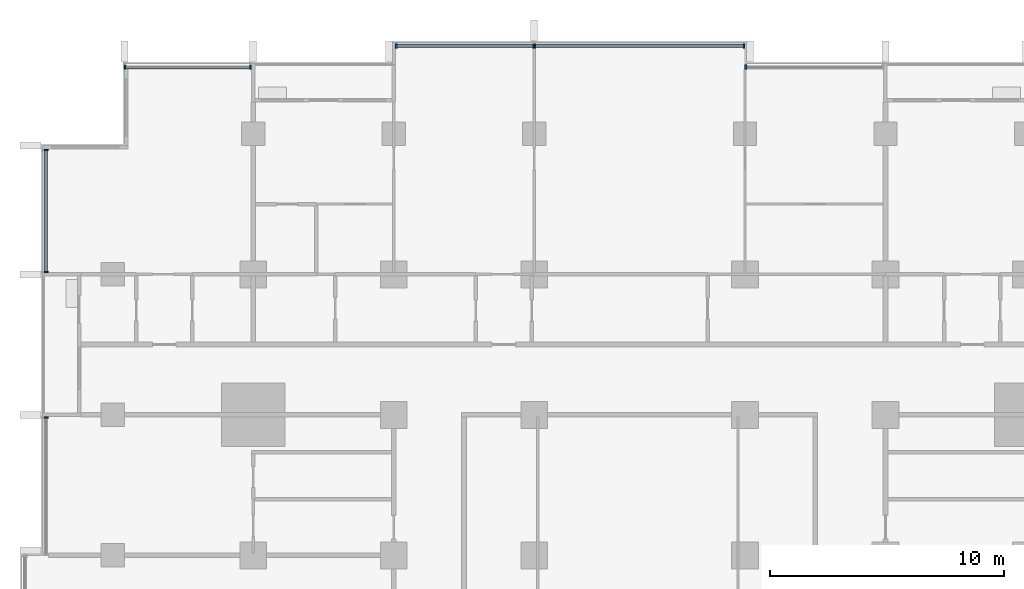
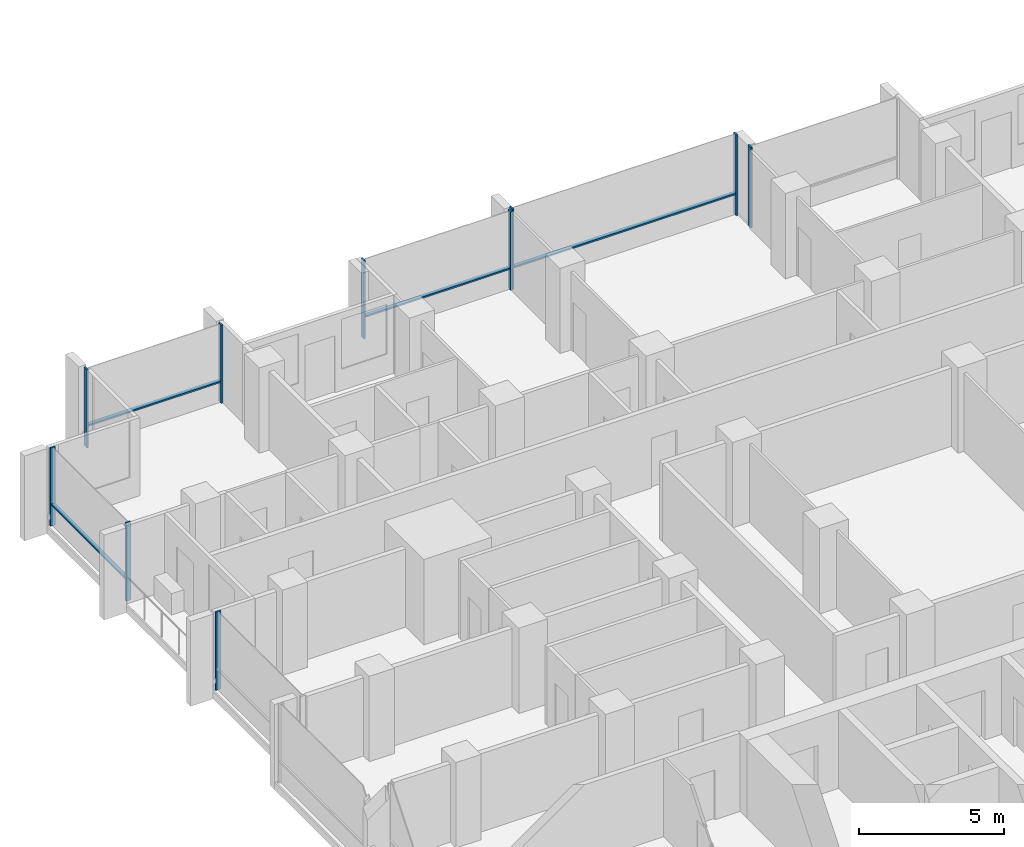
# One storey, part 4 of 17: 14 members, 6 elements without a shape of their own.
"""IFC4 building model written with IfcOpenShell, lengths in metres."""

from ifc_helpers import new_model, si_unit, direction, frame, origin, origin_2d, place, context, subcontext, project, spatial, rectangle, extrude, material, material_profile, profile_set, type_object, element, aggregate, save


model = new_model("IFC4")

# Units and contexts
model_context = context("Model", 3, precision=1e-05, world=origin(), true_north=direction((0.0, 1.0)))
body_context = subcontext(model_context, "Body", "Model", "MODEL_VIEW")
ifc_project = project(units=[si_unit("LENGTHUNIT", "METRE"), si_unit("AREAUNIT", "SQUARE_METRE"), si_unit("VOLUMEUNIT", "CUBIC_METRE"), si_unit("PLANEANGLEUNIT", "RADIAN"), si_unit("MASSUNIT", "GRAM", prefix="KILO")], contexts=[model_context])

# Site, building, storey
site_placement = place(None, origin())
site = spatial("IfcSite", under=ifc_project, at=site_placement, CompositionType="ELEMENT")
building_placement = place(site_placement, origin())
building = spatial("IfcBuilding", under=site, at=building_placement, Name="Finial Court Residences", CompositionType="ELEMENT")
storey_placement = place(building_placement, frame((0.0, 0.0, 120.699951171875)))
storey = spatial("IfcBuildingStorey", under=building, at=storey_placement, Name="L30", CompositionType="ELEMENT", Elevation=120.699951171875)

# Curtain wall, members
ifc_material = material(Name="Bronze anodised aluminium", Category="aluminium")
curtain_wall_type = type_object("IfcCurtainWallType", Name="Unitised curtain wall, lower and middle zones", PredefinedType="NOTDEFINED", material=ifc_material)
curtain_wall_1_placement = place(storey_placement, origin())
curtain_wall_1 = element("IfcCurtainWall", 1, at=curtain_wall_1_placement, inside=storey, type_object=curtain_wall_type, Name="E-L30-CW-N1", PredefinedType="NOTDEFINED")
ifc_material_profile_1 = material_profile(ifc_material, rectangle(XDim=0.199951171875, YDim=0.06494140625, at=origin_2d()), Name="CW1 mullion 65 x 200")
ifc_profile_set_1 = profile_set([ifc_material_profile_1], Name="Bronze anodised aluminium")
member_type_1 = type_object("IfcMemberType", Name="CW1 mullion 65 x 200", PredefinedType="MULLION", material=ifc_profile_set_1)
member_1_placement = place(storey_placement, frame((-21.967529296875, 22.35009765625, 0.0), z_axis=(0.0, 0.0, 1.0), x_axis=(0.0, 1.0, 0.0)))
member_1 = element("IfcMember", 2, at=member_1_placement, type_object=member_type_1, Name="CW1 mullion 1", PredefinedType="MULLION", context=body_context, shape_type="SweptSolid", body=[
    extrude(rectangle(XDim=0.199951171875, YDim=0.06494140625, at=origin_2d()), origin(), (0.0, 0.0, 1.0), 3.300048828125),
])
member_2_placement = place(storey_placement, frame((-16.607421875, 22.35009765625, 0.0), z_axis=(0.0, 0.0, 1.0), x_axis=(0.0, 1.0, 0.0)))
member_2 = element("IfcMember", 3, at=member_2_placement, type_object=member_type_1, Name="CW1 mullion 2", PredefinedType="MULLION", context=body_context, shape_type="SweptSolid", body=[
    extrude(rectangle(XDim=0.199951171875, YDim=0.06494140625, at=origin_2d()), origin(), (0.0, 0.0, 1.0), 3.300048828125),
])

curtain_wall_2_placement = place(storey_placement, origin())
curtain_wall_2 = element("IfcCurtainWall", 4, at=curtain_wall_2_placement, inside=storey, type_object=curtain_wall_type, Name="E-L30-CW-N2", PredefinedType="NOTDEFINED")
member_3_placement = place(storey_placement, frame((-10.392578125, 23.25, 0.0), z_axis=(0.0, 0.0, 1.0), x_axis=(0.0, 1.0, 0.0)))
member_3 = element("IfcMember", 5, at=member_3_placement, type_object=member_type_1, Name="CW1 mullion 1", PredefinedType="MULLION", context=body_context, shape_type="SweptSolid", body=[
    extrude(rectangle(XDim=0.199951171875, YDim=0.06494140625, at=origin_2d()), origin(), (0.0, 0.0, 1.0), 3.300048828125),
])
member_4_placement = place(storey_placement, frame((-4.532470703125, 23.25, 0.0), z_axis=(0.0, 0.0, 1.0), x_axis=(0.0, 1.0, 0.0)))
member_4 = element("IfcMember", 6, at=member_4_placement, type_object=member_type_1, Name="CW1 mullion 2", PredefinedType="MULLION", context=body_context, shape_type="SweptSolid", body=[
    extrude(rectangle(XDim=0.199951171875, YDim=0.06494140625, at=origin_2d()), origin(), (0.0, 0.0, 1.0), 3.300048828125),
])

curtain_wall_3_placement = place(storey_placement, origin())
curtain_wall_3 = element("IfcCurtainWall", 7, at=curtain_wall_3_placement, inside=storey, type_object=curtain_wall_type, Name="E-L30-CW-N3", PredefinedType="NOTDEFINED")
member_5_placement = place(storey_placement, frame((-4.467529296875, 23.25, 0.0), z_axis=(0.0, 0.0, 1.0), x_axis=(0.0, 1.0, 0.0)))
member_5 = element("IfcMember", 8, at=member_5_placement, type_object=member_type_1, Name="CW1 mullion 1", PredefinedType="MULLION", context=body_context, shape_type="SweptSolid", body=[
    extrude(rectangle(XDim=0.199951171875, YDim=0.06494140625, at=origin_2d()), origin(), (0.0, 0.0, 1.0), 3.400146484375),
])
member_6_placement = place(storey_placement, frame((4.467529296875, 23.25, 0.0), z_axis=(0.0, 0.0, 1.0), x_axis=(0.0, 1.0, 0.0)))
member_6 = element("IfcMember", 9, at=member_6_placement, type_object=member_type_1, Name="CW1 mullion 2", PredefinedType="MULLION", context=body_context, shape_type="SweptSolid", body=[
    extrude(rectangle(XDim=0.199951171875, YDim=0.06494140625, at=origin_2d()), origin(), (0.0, 0.0, 1.0), 3.400146484375),
])

# Curtain wall, member
curtain_wall_4_placement = place(storey_placement, origin())
curtain_wall_4 = element("IfcCurtainWall", 10, at=curtain_wall_4_placement, inside=storey, type_object=curtain_wall_type, Name="E-L30-CW-N4", PredefinedType="NOTDEFINED")
member_7_placement = place(storey_placement, frame((4.532470703125, 22.35009765625, 0.0), z_axis=(0.0, 0.0, 1.0), x_axis=(0.0, 1.0, 0.0)))
member_7 = element("IfcMember", 11, at=member_7_placement, type_object=member_type_1, Name="CW1 mullion 1", PredefinedType="MULLION", context=body_context, shape_type="SweptSolid", body=[
    extrude(rectangle(XDim=0.199951171875, YDim=0.06494140625, at=origin_2d()), origin(), (0.0, 0.0, 1.0), 3.400146484375),
])
aggregate(curtain_wall_4, [member_7])

curtain_wall_5_placement = place(storey_placement, origin())
curtain_wall_5 = element("IfcCurtainWall", 12, at=curtain_wall_5_placement, inside=storey, type_object=curtain_wall_type, Name="E-L30-CW-W14", PredefinedType="NOTDEFINED")
member_8_placement = place(storey_placement, frame((-25.35009765625, 7.392578125, 0.0), z_axis=(0.0, 0.0, 1.0), x_axis=(-1.0, 0.0, 0.0)))
member_8 = element("IfcMember", 13, at=member_8_placement, type_object=member_type_1, Name="CW1 mullion 2", PredefinedType="MULLION", context=body_context, shape_type="SweptSolid", body=[
    extrude(rectangle(XDim=0.199951171875, YDim=0.06494140625, at=origin_2d()), origin(), (0.0, 0.0, 1.0), 3.300048828125),
])
aggregate(curtain_wall_5, [member_8])

# Curtain wall, members
curtain_wall_6_placement = place(storey_placement, origin())
curtain_wall_6 = element("IfcCurtainWall", 14, at=curtain_wall_6_placement, inside=storey, type_object=curtain_wall_type, Name="E-L30-CW-W15", PredefinedType="NOTDEFINED")
member_9_placement = place(storey_placement, frame((-25.35009765625, 13.607421875, 0.0), z_axis=(0.0, 0.0, 1.0), x_axis=(-1.0, 0.0, 0.0)))
member_9 = element("IfcMember", 15, at=member_9_placement, type_object=member_type_1, Name="CW1 mullion 1", PredefinedType="MULLION", context=body_context, shape_type="SweptSolid", body=[
    extrude(rectangle(XDim=0.199951171875, YDim=0.06494140625, at=origin_2d()), origin(), (0.0, 0.0, 1.0), 3.300048828125),
])
member_10_placement = place(storey_placement, frame((-25.35009765625, 18.8173828125, 0.0), z_axis=(0.0, 0.0, 1.0), x_axis=(-1.0, 0.0, 0.0)))
member_10 = element("IfcMember", 16, at=member_10_placement, type_object=member_type_1, Name="CW1 mullion 2", PredefinedType="MULLION", context=body_context, shape_type="SweptSolid", body=[
    extrude(rectangle(XDim=0.199951171875, YDim=0.06494140625, at=origin_2d()), origin(), (0.0, 0.0, 1.0), 3.300048828125),
])

# Member
ifc_material_profile_2 = material_profile(ifc_material, rectangle(XDim=0.14990234375, YDim=0.06494140625, at=origin_2d()), Name="CW1 transom 65 x 150")
ifc_profile_set_2 = profile_set([ifc_material_profile_2], Name="Bronze anodised aluminium")
member_type_2 = type_object("IfcMemberType", Name="CW1 transom 65 x 150", PredefinedType="USERDEFINED", material=ifc_profile_set_2)
member_11_placement = place(storey_placement, frame((-21.93505859375, 22.35009765625, 0.900146484375), z_axis=(1.0, 0.0, 0.0), x_axis=(0.0, 1.0, 0.0)))
member_11 = element("IfcMember", 17, at=member_11_placement, type_object=member_type_2, Name="CW1 transom 1.1", ObjectType="TRANSOM", PredefinedType="USERDEFINED", context=body_context, shape_type="SweptSolid", body=[
    extrude(rectangle(XDim=0.14990234375, YDim=0.06494140625, at=origin_2d()), origin(), (0.0, 0.0, 1.0), 5.295166015625),
])

aggregate(curtain_wall_1, [member_1, member_2, member_11])

member_12_placement = place(storey_placement, frame((-10.360107421875, 23.25, 0.900146484375), z_axis=(1.0, 0.0, 0.0), x_axis=(0.0, 1.0, 0.0)))
member_12 = element("IfcMember", 18, at=member_12_placement, type_object=member_type_2, Name="CW1 transom 1.1", ObjectType="TRANSOM", PredefinedType="USERDEFINED", context=body_context, shape_type="SweptSolid", body=[
    extrude(rectangle(XDim=0.14990234375, YDim=0.06494140625, at=origin_2d()), origin(), (0.0, 0.0, 1.0), 5.795166015625),
])

aggregate(curtain_wall_2, [member_3, member_4, member_12])

member_13_placement = place(storey_placement, frame((-4.43505859375, 23.25, 0.900146484375), z_axis=(1.0, 0.0, 0.0), x_axis=(0.0, 1.0, 0.0)))
member_13 = element("IfcMember", 19, at=member_13_placement, type_object=member_type_2, Name="CW1 transom 1.1", ObjectType="TRANSOM", PredefinedType="USERDEFINED", context=body_context, shape_type="SweptSolid", body=[
    extrude(rectangle(XDim=0.14990234375, YDim=0.06494140625, at=origin_2d()), origin(), (0.0, 0.0, 1.0), 8.8701171875),
])

aggregate(curtain_wall_3, [member_5, member_6, member_13])

member_14_placement = place(storey_placement, frame((-25.35009765625, 13.639892578125, 0.900146484375), z_axis=(0.0, 1.0, 0.0), x_axis=(-1.0, 0.0, 0.0)))
member_14 = element("IfcMember", 20, at=member_14_placement, type_object=member_type_2, Name="CW1 transom 1.1", ObjectType="TRANSOM", PredefinedType="USERDEFINED", context=body_context, shape_type="SweptSolid", body=[
    extrude(rectangle(XDim=0.14990234375, YDim=0.06494140625, at=origin_2d()), origin(), (0.0, 0.0, 1.0), 5.14501953125),
])

aggregate(curtain_wall_6, [member_9, member_10, member_14])

save(model, "model.ifc")
